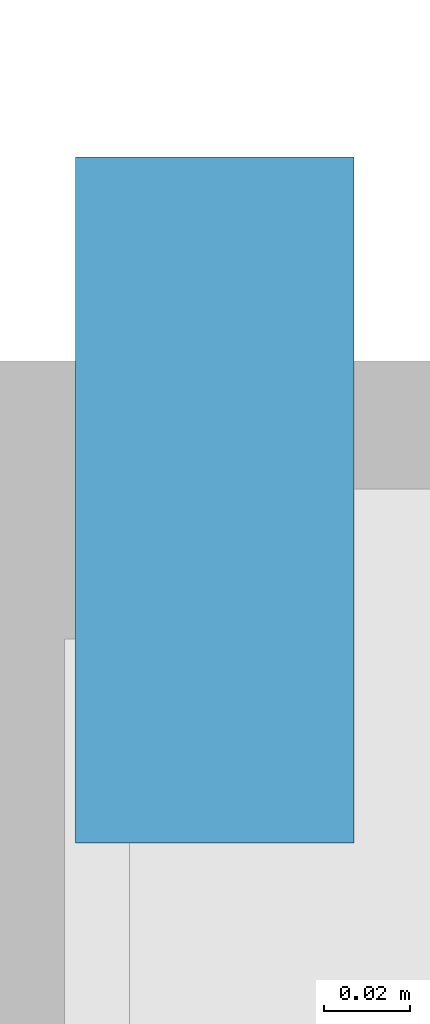
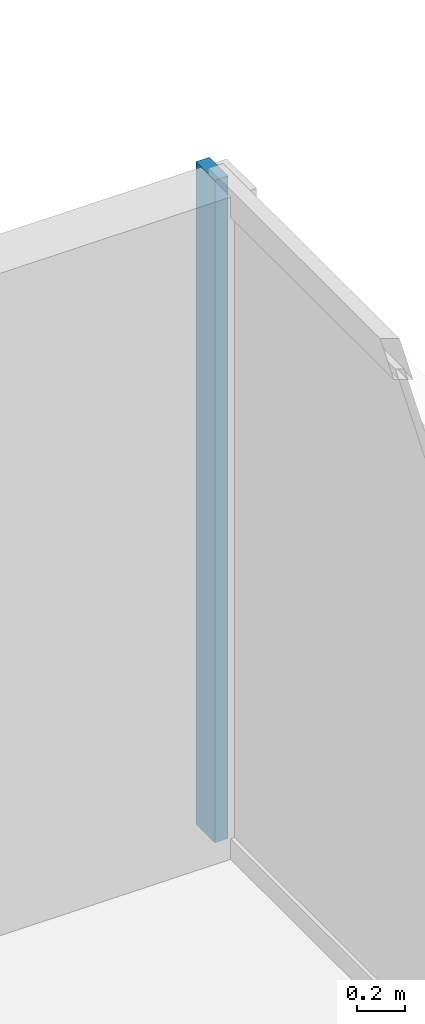
# One storey, part 6 of 14: 1 member, 1 element without a shape of its own.
"""IFC4 building model written with IfcOpenShell, lengths in metres."""

from ifc_helpers import new_model, si_unit, direction, frame, origin, origin_2d, place, context, subcontext, project, spatial, rectangle, extrude, material, layer, layer_set, material_profile, profile_set, type_object, element, aggregate, save


model = new_model("IFC4")

# Units and contexts
model_context = context("Model", 3, precision=1e-05, world=origin(), true_north=direction((0.0, 1.0)))
body_context = subcontext(model_context, "Body", "Model", "MODEL_VIEW")
ifc_project = project(units=[si_unit("LENGTHUNIT", "METRE"), si_unit("AREAUNIT", "SQUARE_METRE"), si_unit("VOLUMEUNIT", "CUBIC_METRE"), si_unit("PLANEANGLEUNIT", "RADIAN"), si_unit("MASSUNIT", "GRAM", prefix="KILO")], contexts=[model_context])

# Site, building, storey
site_placement = place(None, origin())
site = spatial("IfcSite", under=ifc_project, at=site_placement, CompositionType="ELEMENT")
building_placement = place(site_placement, origin())
building = spatial("IfcBuilding", under=site, at=building_placement, Name="Kinhvarn Gate Tower", CompositionType="ELEMENT")
storey_placement = place(building_placement, frame((0.0, 0.0, 270.550048828125)))
storey = spatial("IfcBuildingStorey", under=building, at=storey_placement, Name="L72", CompositionType="ELEMENT", Elevation=270.550048828125)

# Curtain wall, member
ifc_material = material(Name="Anodised aluminium AW-6063", Category="aluminium")
ifc_layer = layer(ifc_material, 0.179931640625)
ifc_layer_set = layer_set([ifc_layer], Name="Anodised aluminium AW-6063")
curtain_wall_type = type_object("IfcCurtainWallType", Name="CW-SYS-3", PredefinedType="NOTDEFINED", material=ifc_layer_set)
curtain_wall_placement = place(storey_placement, origin())
curtain_wall = element("IfcCurtainWall", 1, at=curtain_wall_placement, inside=storey, type_object=curtain_wall_type, Name="Curtain Wall CW3 (L72)", PredefinedType="NOTDEFINED")
ifc_material_profile = material_profile(ifc_material, rectangle(XDim=0.06494140625, YDim=0.159912109375, at=origin_2d()), Name="ALU 65x160")
ifc_profile_set = profile_set([ifc_material_profile], Name="Anodised aluminium AW-6063")
member_type = type_object("IfcMemberType", Name="CW-MUL-160", PredefinedType="MULLION", material=ifc_profile_set)
member_placement = place(storey_placement, frame((44.409912109375, 39.367431640625, 0.0), z_axis=(0.0, 0.0, 1.0), x_axis=(-1.0, 0.0, 0.0)))
member = element("IfcMember", 2, at=member_placement, type_object=member_type, Name="CW3 mullion 7", PredefinedType="MULLION", context=body_context, shape_type="SweptSolid", body=[
    extrude(rectangle(XDim=0.06494140625, YDim=0.159912109375, at=origin_2d()), origin(), (0.0, 0.0, 1.0), 3.389892578125),
])
aggregate(curtain_wall, [member])

save(model, "model.ifc")
